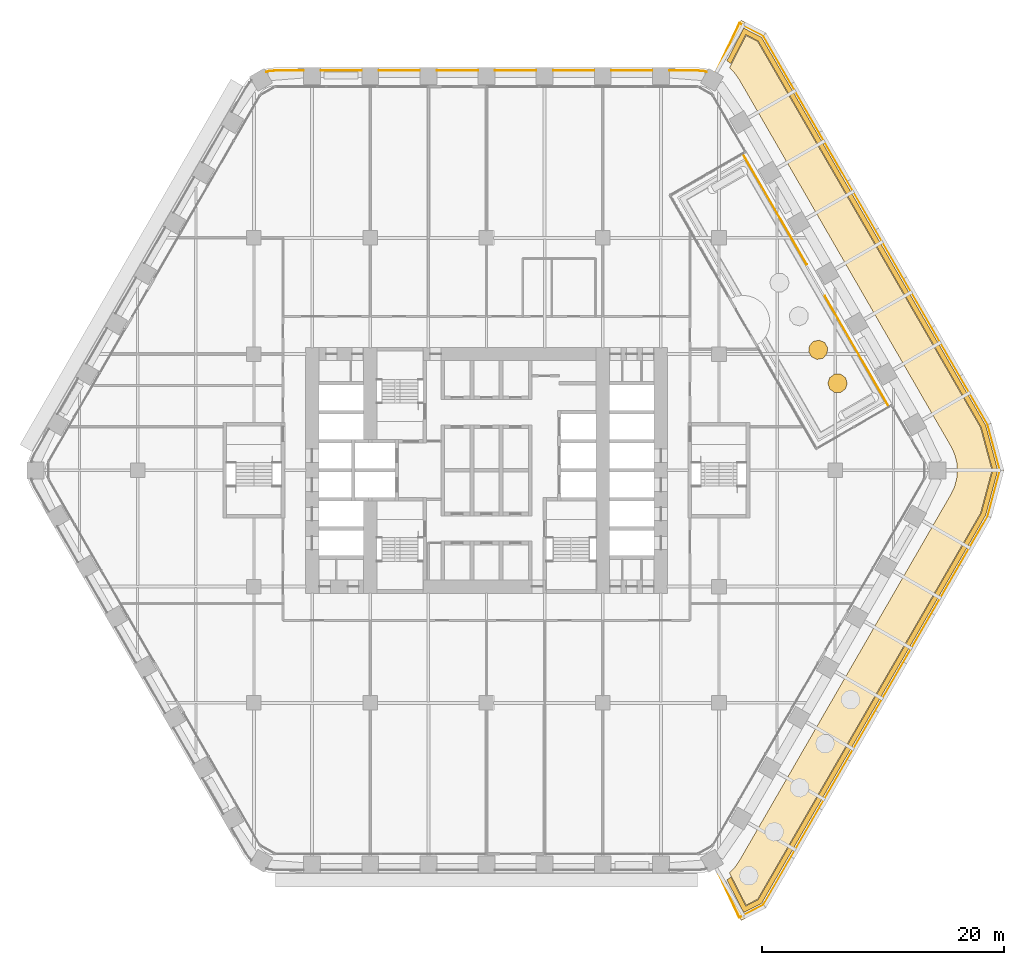
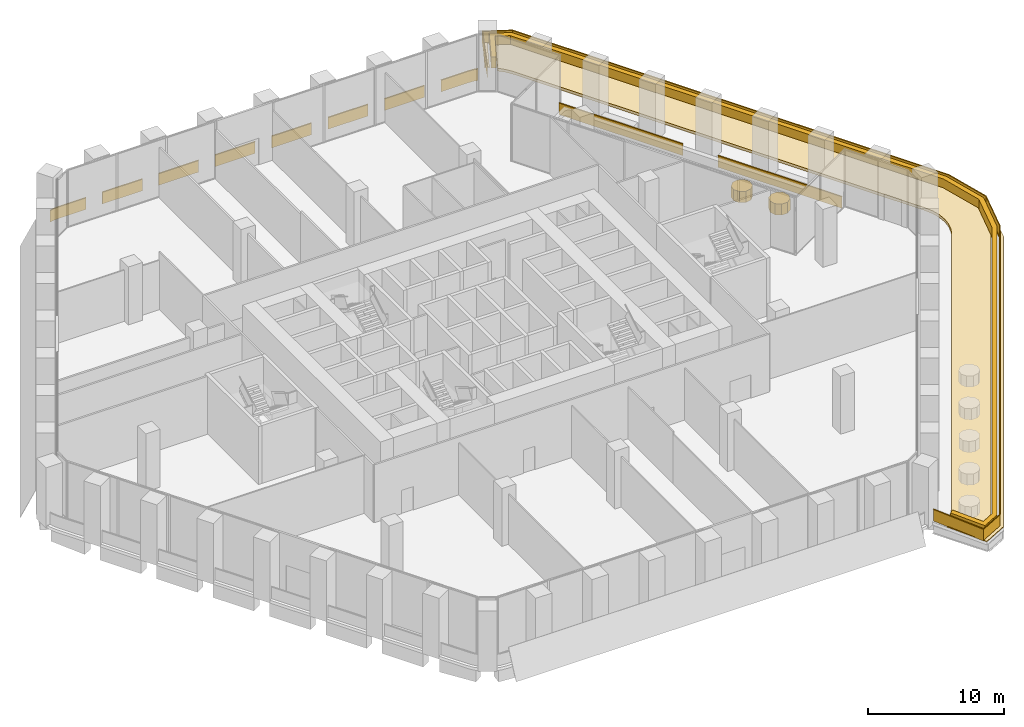
# One storey, part 32 of 32: 5 coverings, 3 railings.
"""IFC4 building model written with IfcOpenShell, lengths in metres."""

import ifcopenshell
import ifcopenshell.guid

model = None  # the IFC model being written
_history = None  # IfcOwnerHistory: only IFC2X3 demands one
_inside = {}  # id of a spatial element -> (the spatial element, [elements in it])
_under = {}  # id of a project, library or spatial element -> (it, [spatial elements below it])
_declared = {}  # id of a project -> (the project, [libraries it declares])
_typed = {}  # id of a type object -> (the type object, [elements of that type])
_made_of = {}  # id of a material, layer set ... -> (it, [elements and type objects made of it])


def new_model(schema):
    """Start an empty IFC model of exactly this schema.

    Asked for "IFC4X3", IfcOpenShell would pick the latest addendum, in which some entities
    have other attributes; the version numbers below select the first issue.
    IFC2X3 requires an IfcOwnerHistory on every rooted entity: one is made here for all.
    """
    global model, _history
    if schema == "IFC4X3":
        model = ifcopenshell.file(schema_version=(4, 3, 0, 0))
    else:
        model = ifcopenshell.file(schema=schema)
    _inside.clear()
    _under.clear()
    _declared.clear()
    _typed.clear()
    _made_of.clear()
    _history = None
    if model.schema == "IFC2X3":
        org = make("IfcOrganization", Name="unknown")
        user = make(
            "IfcPersonAndOrganization",
            ThePerson=make("IfcPerson", FamilyName="unknown"),
            TheOrganization=org,
        )
        app = make(
            "IfcApplication",
            ApplicationDeveloper=org,
            Version="unknown",
            ApplicationFullName="unknown",
            ApplicationIdentifier="unknown",
        )
        _history = make(
            "IfcOwnerHistory",
            OwningUser=user,
            OwningApplication=app,
            ChangeAction="ADDED",
            CreationDate=0,
        )
    return model


def make(cls, **values):
    """One entity of the class cls with the attributes given. An attribute that is None is left unset."""
    return model.create_entity(
        cls, **{name: value for name, value in values.items() if value is not None}
    )


def rooted(cls, **values):
    """An entity with a GlobalId (a new one), such as an element, a storey or a relation."""
    return make(cls, GlobalId=ifcopenshell.guid.new(), OwnerHistory=_history, **values)


def si_unit(unit_type, name, prefix=None):
    """IfcSIUnit, for example si_unit("LENGTHUNIT", "METRE", prefix="MILLI")."""
    return make("IfcSIUnit", UnitType=unit_type, Prefix=prefix, Name=name)


def assignment(units):
    """IfcUnitAssignment: the units of a project."""
    return None if units is None else make("IfcUnitAssignment", Units=units)


def point(xyz):
    """IfcCartesianPoint."""
    return None if xyz is None else make("IfcCartesianPoint", Coordinates=xyz)


def direction(xyz):
    """IfcDirection."""
    return None if xyz is None else make("IfcDirection", DirectionRatios=xyz)


def frame(location, z_axis=None, x_axis=None):
    """IfcAxis2Placement3D, a coordinate frame: its origin and axes. An axis left out is left unset."""
    return make(
        "IfcAxis2Placement3D",
        Location=point(location),
        Axis=direction(z_axis),
        RefDirection=direction(x_axis),
    )


def frame_2d(location, x_axis=None):
    """IfcAxis2Placement2D, a coordinate frame in the plane: its origin and x axis."""
    return make(
        "IfcAxis2Placement2D", Location=point(location), RefDirection=direction(x_axis)
    )


def origin():
    """The frame at (0, 0, 0) with its axes left unset."""
    return frame((0.0, 0.0, 0.0))


def origin_2d():
    """The frame at (0, 0) in the plane with its x axis left unset."""
    return frame_2d((0.0, 0.0))


def place(relative_to, where):
    """IfcLocalPlacement: puts the frame where relative to a parent placement (None: the world)."""
    return make(
        "IfcLocalPlacement", PlacementRelTo=relative_to, RelativePlacement=where
    )


def context(
    kind, dimensions, precision=None, world=None, true_north=None, identifier=None
):
    """IfcGeometricRepresentationContext, for example the 3D "Model" context."""
    return make(
        "IfcGeometricRepresentationContext",
        ContextIdentifier=identifier,
        ContextType=kind,
        CoordinateSpaceDimension=dimensions,
        Precision=precision,
        WorldCoordinateSystem=world,
        TrueNorth=true_north,
    )


def subcontext(parent, identifier, kind, view, scale=None):
    """IfcGeometricRepresentationSubContext, for example "Body" below "Model"."""
    return make(
        "IfcGeometricRepresentationSubContext",
        ContextIdentifier=identifier,
        ContextType=kind,
        ParentContext=parent,
        TargetScale=scale,
        TargetView=view,
    )


def project(units=None, contexts=None):
    """IfcProject with its units and contexts."""
    return rooted(
        "IfcProject",
        Name="project",
        RepresentationContexts=contexts,
        UnitsInContext=assignment(units),
    )


def spatial(cls, under=None, at=None, **own):
    """A site, building, storey or space (cls), placed at a placement, below another one or the project."""
    s = rooted(cls, ObjectPlacement=at, **own)
    if under is not None:
        _under.setdefault(under.id(), (under, []))[1].append(s)
    return s


def polyline(points):
    """IfcPolyline through the points."""
    return make("IfcPolyline", Points=[point(p) for p in points])


def profile(cls, at=None, kind="AREA", **sizes):
    """A parametric profile (cls). Its sizes go by their IFC names, for example OverallWidth=200.0."""
    return make(cls, ProfileType=kind, Position=at, **sizes)


def rectangle(**sizes):
    """IfcRectangleProfileDef."""
    return profile("IfcRectangleProfileDef", **sizes)


def outline(outer, holes=None, kind="AREA"):
    """IfcArbitraryClosedProfileDef: a profile drawn as a closed curve; with holes, ...WithVoids."""
    if holes is None:
        return make("IfcArbitraryClosedProfileDef", ProfileType=kind, OuterCurve=outer)
    return make(
        "IfcArbitraryProfileDefWithVoids",
        ProfileType=kind,
        OuterCurve=outer,
        InnerCurves=holes,
    )


def extrude(swept, where, along, depth):
    """IfcExtrudedAreaSolid: the profile swept, set in the frame where, extruded along a direction by depth."""
    return make(
        "IfcExtrudedAreaSolid",
        SweptArea=swept,
        Position=where,
        ExtrudedDirection=direction(along),
        Depth=depth,
    )


def shape(context_of_items, identifier, shape_type, items):
    """IfcShapeRepresentation: the items that make up one representation, for example the "Body"."""
    return make(
        "IfcShapeRepresentation",
        ContextOfItems=context_of_items,
        RepresentationIdentifier=identifier,
        RepresentationType=shape_type,
        Items=items,
    )


def material(Name=None, Category=None):
    """IfcMaterial."""
    return make("IfcMaterial", Name=Name, Category=Category)


def layer(
    of_material, thickness, ventilated=None, Name=None, Category=None, Priority=None
):
    """IfcMaterialLayer: one layer of a wall or slab, of a material (None: an air gap)."""
    return make(
        "IfcMaterialLayer",
        Material=of_material,
        LayerThickness=thickness,
        IsVentilated=ventilated,
        Name=Name,
        Category=Category,
        Priority=Priority,
    )


def layer_set(layers, Name=None):
    """IfcMaterialLayerSet."""
    return make("IfcMaterialLayerSet", MaterialLayers=layers, LayerSetName=Name)


def made_of(thing, what):
    """Note that an element or type object is made of a material, layer set ...; save() writes the relation."""
    if what is not None:
        _made_of.setdefault(what.id(), (what, []))[1].append(thing)
    return thing


def type_object(cls, material=None, **own):
    """A type object (cls), such as IfcWallType, which elements share."""
    return made_of(rooted(cls, **own), material)


def element(
    cls,
    number,
    at=None,
    inside=None,
    cuts=None,
    type_object=None,
    material=None,
    context=None,
    identifier="Body",
    shape_type=None,
    held_by="IfcProductDefinitionShape",
    body=None,
    shapes=None,
    **own,
):
    """One element of the class cls, such as IfcWall. Its Tag is "e" and its number.

    at: its placement. inside: the storey or other place that contains it. cuts: it is an
    opening in that element (IfcRelVoidsElement). A single representation is given by context,
    identifier, shape_type and body (its items); several are given by shapes. held_by: the class
    of the entity that holds the representations. save() writes the other relations.
    """
    e = rooted(cls, Tag="e%d" % number, ObjectPlacement=at, **own)
    if body is not None:
        shapes = [shape(context, identifier, shape_type, body)]
    if shapes is not None:
        e.Representation = make(held_by, Representations=shapes)
    if inside is not None:
        _inside.setdefault(inside.id(), (inside, []))[1].append(e)
    if cuts is not None:
        rooted(
            "IfcRelVoidsElement", RelatingBuildingElement=cuts, RelatedOpeningElement=e
        )
    if type_object is not None:
        _typed.setdefault(type_object.id(), (type_object, []))[1].append(e)
    return made_of(e, material)


def aggregate(whole, parts):
    """IfcRelAggregates: a whole, such as a stair, and the parts it consists of."""
    return rooted("IfcRelAggregates", RelatingObject=whole, RelatedObjects=parts)


def save(model, path):
    """Write the relations noted so far, then the file.

    IfcRelAggregates (storeys below a building ...), IfcRelContainedInSpatialStructure (elements
    in a storey), IfcRelDefinesByType, IfcRelAssociatesMaterial and IfcRelDeclares: one each for
    every whole, place, type object, material and project.
    """
    for whole, parts in _under.values():
        aggregate(whole, parts)
    for where, things in _inside.values():
        rooted(
            "IfcRelContainedInSpatialStructure",
            RelatedElements=things,
            RelatingStructure=where,
        )
    for kind, things in _typed.values():
        rooted("IfcRelDefinesByType", RelatedObjects=things, RelatingType=kind)
    for what, things in _made_of.values():
        rooted("IfcRelAssociatesMaterial", RelatedObjects=things, RelatingMaterial=what)
    for by, libraries in _declared.values():
        rooted("IfcRelDeclares", RelatingContext=by, RelatedDefinitions=libraries)
    model.write(path)


model = new_model("IFC4")

# Units and contexts
model_context = context("Model", 3, precision=1e-05, world=origin(), true_north=direction((0.0, 1.0)))
body_context = subcontext(model_context, "Body", "Model", "MODEL_VIEW")
ifc_project = project(units=[si_unit("LENGTHUNIT", "METRE"), si_unit("AREAUNIT", "SQUARE_METRE"), si_unit("VOLUMEUNIT", "CUBIC_METRE"), si_unit("PLANEANGLEUNIT", "RADIAN"), si_unit("MASSUNIT", "GRAM", prefix="KILO")], contexts=[model_context])

# Site, building, storey
site_placement = place(None, origin())
site = spatial("IfcSite", under=ifc_project, at=site_placement, CompositionType="ELEMENT")
building_placement = place(site_placement, origin())
building = spatial("IfcBuilding", under=site, at=building_placement, Name="Kolab Exchange Tower", CompositionType="ELEMENT")
storey_placement = place(building_placement, frame((0.0, 0.0, 60.89990234375)))
storey = spatial("IfcBuildingStorey", under=building, at=storey_placement, Name="L11", CompositionType="ELEMENT", Elevation=60.89990234375)

# Coverings
ifc_material_1 = material(Name="Flowering shrub planting", Category="soil")
ifc_layer_1 = layer(ifc_material_1, 1.0)
ifc_layer_set_1 = layer_set([ifc_layer_1], Name="Flowering shrub planting")
covering_type_1 = type_object("IfcCoveringType", Name="FLOWERING SHRUB PLANTING", PredefinedType="USERDEFINED", material=ifc_layer_set_1)
covering_1_placement = place(storey_placement, frame((0.0, 0.0, 0.25)))
element("IfcCovering", 1, at=covering_1_placement, inside=storey, type_object=covering_type_1, Name="Flowering shrub", ObjectType="PLANTING", PredefinedType="USERDEFINED", context=body_context, shape_type="SweptSolid", body=[
    extrude(outline(polyline([(29.792724609375, 7.183837890625), (29.639892578125, 7.654052734375), (29.239990234375, 7.944580078125), (28.74560546875, 7.944580078125), (28.345458984375, 7.654052734375), (28.192626953125, 7.183837890625), (28.345458984375, 6.713623046875), (28.74560546875, 6.4228515625), (29.239990234375, 6.4228515625), (29.639892578125, 6.713623046875), (29.792724609375, 7.183837890625)])), origin(), (0.0, 0.0, 1.0), 1.0),
])
covering_2_placement = place(storey_placement, frame((0.0, 0.0, 0.25)))
element("IfcCovering", 2, at=covering_2_placement, inside=storey, type_object=covering_type_1, Name="Flowering shrub", ObjectType="PLANTING", PredefinedType="USERDEFINED", context=body_context, shape_type="SweptSolid", body=[
    extrude(outline(polyline([(28.1767578125, 10.11376953125), (27.93359375, 10.54443359375), (27.48388671875, 10.749755859375), (26.999267578125, 10.651611328125), (26.6650390625, 10.287109375), (26.608642578125, 9.7958984375), (26.851806640625, 9.365478515625), (27.301513671875, 9.16015625), (27.7861328125, 9.25830078125), (28.120361328125, 9.62255859375), (28.1767578125, 10.11376953125)])), origin(), (0.0, 0.0, 1.0), 1.0),
])

# Railings
ifc_material_2 = material(Name="Steel S235", Category="steel")
railing_type = type_object("IfcRailingType", Name="GUARD 1100 GLASS BALUSTRADE AND STEEL TOP RAIL", PredefinedType="GUARDRAIL", material=ifc_material_2)
railing_1_placement = place(storey_placement, frame((18.1953125, 32.896728515625, 0.0)))
element("IfcRailing", 3, at=railing_1_placement, inside=storey, type_object=railing_type, Name="Guard", PredefinedType="GUARDRAIL", context=body_context, shape_type="SweptSolid", body=[
    extrude(rectangle(XDim=0.05, YDim=0.05, at=origin_2d()), frame((0.0, 0.0, 1.0751953125), z_axis=(-0.965952265455, 0.258720352624, 0.0), x_axis=(-0.258720352624, -0.965952265455, 0.0)), (0.0, 0.0, 1.0), 0.258544921875),
    extrude(rectangle(XDim=0.012, YDim=1.05009765625, at=frame_2d((0.0, 0.525146484375))), frame((0.0, 0.0, 0.0), z_axis=(-0.965952265455, 0.258720352624, 0.0), x_axis=(-0.258720352624, -0.965952265455, 0.0)), (0.0, 0.0, 1.0), 0.258544921875),
    extrude(rectangle(XDim=0.05, YDim=0.05, at=origin_2d()), frame((-0.249755859375, 0.06689453125, 1.0751953125), z_axis=(-0.996200348447, 0.087091134757, 0.0), x_axis=(-0.087091134757, -0.996200348447, 0.0)), (0.0, 0.0, 1.0), 0.479248046875),
    extrude(rectangle(XDim=0.012, YDim=1.05009765625, at=frame_2d((0.0, 0.525146484375))), frame((-0.249755859375, 0.06689453125, 0.0), z_axis=(-0.996200348447, 0.087091134757, 0.0), x_axis=(-0.087091134757, -0.996200348447, 0.0)), (0.0, 0.0, 1.0), 0.479248046875),
    extrude(rectangle(XDim=0.05, YDim=0.05, at=origin_2d()), frame((-0.727294921875, 0.108642578125, 1.0751953125), z_axis=(-1.0, 0.0, 0.0), x_axis=(0.0, -1.0, 0.0)), (0.0, 0.0, 1.0), 2.367919921875),
    extrude(rectangle(XDim=0.012, YDim=1.05009765625, at=frame_2d((0.0, 0.525146484375))), frame((-0.727294921875, 0.108642578125, 0.0), z_axis=(-1.0, 0.0, 0.0), x_axis=(0.0, -1.0, 0.0)), (0.0, 0.0, 1.0), 2.367919921875),
    extrude(rectangle(XDim=0.05, YDim=0.05, at=origin_2d()), frame((-4.495361328125, 0.108642578125, 1.0751953125), z_axis=(-1.0, 0.0, 0.0), x_axis=(0.0, -1.0, 0.0)), (0.0, 0.0, 1.0), 3.39990234375),
    extrude(rectangle(XDim=0.012, YDim=1.05009765625, at=frame_2d((0.0, 0.525146484375))), frame((-4.495361328125, 0.108642578125, 0.0), z_axis=(-1.0, 0.0, 0.0), x_axis=(0.0, -1.0, 0.0)), (0.0, 0.0, 1.0), 3.39990234375),
    extrude(rectangle(XDim=0.05, YDim=0.05, at=origin_2d()), frame((-9.29541015625, 0.108642578125, 1.0751953125), z_axis=(-1.0, 0.0, 0.0), x_axis=(0.0, -1.0, 0.0)), (0.0, 0.0, 1.0), 3.39990234375),
    extrude(rectangle(XDim=0.012, YDim=1.05009765625, at=frame_2d((0.0, 0.525146484375))), frame((-9.29541015625, 0.108642578125, 0.0), z_axis=(-1.0, 0.0, 0.0), x_axis=(0.0, -1.0, 0.0)), (0.0, 0.0, 1.0), 3.39990234375),
    extrude(rectangle(XDim=0.05, YDim=0.05, at=origin_2d()), frame((-14.09521484375, 0.108642578125, 1.0751953125), z_axis=(-1.0, 0.0, 0.0), x_axis=(0.0, -1.0, 0.0)), (0.0, 0.0, 1.0), 3.400146484375),
    extrude(rectangle(XDim=0.012, YDim=1.05009765625, at=frame_2d((0.0, 0.525146484375))), frame((-14.09521484375, 0.108642578125, 0.0), z_axis=(-1.0, 0.0, 0.0), x_axis=(0.0, -1.0, 0.0)), (0.0, 0.0, 1.0), 3.400146484375),
    extrude(rectangle(XDim=0.05, YDim=0.05, at=origin_2d()), frame((-18.895263671875, 0.108642578125, 1.0751953125), z_axis=(-1.0, 0.0, 0.0), x_axis=(0.0, -1.0, 0.0)), (0.0, 0.0, 1.0), 3.400146484375),
    extrude(rectangle(XDim=0.012, YDim=1.05009765625, at=frame_2d((0.0, 0.525146484375))), frame((-18.895263671875, 0.108642578125, 0.0), z_axis=(-1.0, 0.0, 0.0), x_axis=(0.0, -1.0, 0.0)), (0.0, 0.0, 1.0), 3.400146484375),
    extrude(rectangle(XDim=0.05, YDim=0.05, at=origin_2d()), frame((-23.6953125, 0.108642578125, 1.0751953125), z_axis=(-1.0, 0.0, 0.0), x_axis=(0.0, -1.0, 0.0)), (0.0, 0.0, 1.0), 3.39990234375),
    extrude(rectangle(XDim=0.012, YDim=1.05009765625, at=frame_2d((0.0, 0.525146484375))), frame((-23.6953125, 0.108642578125, 0.0), z_axis=(-1.0, 0.0, 0.0), x_axis=(0.0, -1.0, 0.0)), (0.0, 0.0, 1.0), 3.39990234375),
    extrude(rectangle(XDim=0.05, YDim=0.05, at=origin_2d()), frame((-28.495361328125, 0.108642578125, 1.0751953125), z_axis=(-1.0, 0.0, 0.0), x_axis=(0.0, -1.0, 0.0)), (0.0, 0.0, 1.0), 3.39990234375),
    extrude(rectangle(XDim=0.012, YDim=1.05009765625, at=frame_2d((0.0, 0.525146484375))), frame((-28.495361328125, 0.108642578125, 0.0), z_axis=(-1.0, 0.0, 0.0), x_axis=(0.0, -1.0, 0.0)), (0.0, 0.0, 1.0), 3.39990234375),
    extrude(rectangle(XDim=0.05, YDim=0.05, at=origin_2d()), frame((-33.29541015625, 0.108642578125, 1.0751953125), z_axis=(-1.0, 0.0, 0.0), x_axis=(0.0, -1.0, 0.0)), (0.0, 0.0, 1.0), 2.367919921875),
    extrude(rectangle(XDim=0.012, YDim=1.05009765625, at=frame_2d((0.0, 0.525146484375))), frame((-33.29541015625, 0.108642578125, 0.0), z_axis=(-1.0, 0.0, 0.0), x_axis=(0.0, -1.0, 0.0)), (0.0, 0.0, 1.0), 2.367919921875),
    extrude(rectangle(XDim=0.05, YDim=0.05, at=origin_2d()), frame((-35.663330078125, 0.108642578125, 1.0751953125), z_axis=(-0.996200348447, -0.087091134757, 0.0), x_axis=(0.087091134757, -0.996200348447, 0.0)), (0.0, 0.0, 1.0), 0.479248046875),
    extrude(rectangle(XDim=0.012, YDim=1.05009765625, at=frame_2d((0.0, 0.525146484375))), frame((-35.663330078125, 0.108642578125, 0.0), z_axis=(-0.996200348447, -0.087091134757, 0.0), x_axis=(0.087091134757, -0.996200348447, 0.0)), (0.0, 0.0, 1.0), 0.479248046875),
    extrude(rectangle(XDim=0.05, YDim=0.05, at=origin_2d()), frame((-36.140869140625, 0.06689453125, 1.0751953125), z_axis=(-0.965952265455, -0.258720352624, 0.0), x_axis=(0.258720352624, -0.965952265455, 0.0)), (0.0, 0.0, 1.0), 0.258544921875),
    extrude(rectangle(XDim=0.012, YDim=1.05009765625, at=frame_2d((0.0, 0.525146484375))), frame((-36.140869140625, 0.06689453125, 0.0), z_axis=(-0.965952265455, -0.258720352624, 0.0), x_axis=(0.258720352624, -0.965952265455, 0.0)), (0.0, 0.0, 1.0), 0.258544921875),
])
railing_2_placement = place(storey_placement, frame((18.968017578125, 32.853515625, 0.0)))
element("IfcRailing", 4, at=railing_2_placement, inside=storey, type_object=railing_type, Name="Terrace guard", PredefinedType="GUARDRAIL", context=body_context, shape_type="SweptSolid", body=[
    extrude(rectangle(XDim=0.05, YDim=0.05, at=origin_2d()), frame((0.0, 0.0, 1.0751953125), z_axis=(0.42619965406, 0.904629125598, 0.0), x_axis=(-0.904629125598, 0.42619965406, 0.0)), (0.0, 0.0, 1.0), 4.496826171875),
    extrude(rectangle(XDim=0.012, YDim=1.05009765625, at=frame_2d((0.0, 0.525146484375))), frame((0.0, 0.0, 0.0), z_axis=(0.42619965406, 0.904629125598, 0.0), x_axis=(-0.904629125598, 0.42619965406, 0.0)), (0.0, 0.0, 1.0), 4.496826171875),
    extrude(rectangle(XDim=0.05, YDim=0.05, at=origin_2d()), frame((1.91650390625, 4.06787109375, 1.0751953125), z_axis=(0.889930468546, -0.456096219184, 0.0), x_axis=(0.456096219184, 0.889930468546, 0.0)), (0.0, 0.0, 1.0), 2.226318359375),
    extrude(rectangle(XDim=0.012, YDim=1.05009765625, at=frame_2d((0.0, 0.525146484375))), frame((1.91650390625, 4.06787109375, 0.0), z_axis=(0.889930468546, -0.456096219184, 0.0), x_axis=(0.456096219184, 0.889930468546, 0.0)), (0.0, 0.0, 1.0), 2.226318359375),
    extrude(rectangle(XDim=0.05, YDim=0.05, at=origin_2d()), frame((3.897705078125, 3.052490234375, 1.0751953125), z_axis=(0.50000221029, -0.866024127669, 0.0), x_axis=(0.866024127669, 0.50000221029, 0.0)), (0.0, 0.0, 1.0), 37.091064453125),
    extrude(rectangle(XDim=0.012, YDim=1.05009765625, at=frame_2d((0.0, 0.525146484375))), frame((3.897705078125, 3.052490234375, 0.0), z_axis=(0.50000221029, -0.866024127669, 0.0), x_axis=(0.866024127669, 0.50000221029, 0.0)), (0.0, 0.0, 1.0), 37.091064453125),
    extrude(rectangle(XDim=0.05, YDim=0.05, at=origin_2d()), frame((22.443359375, -29.0693359375, 1.0751953125), z_axis=(0.258806690596, -0.965929136584, 0.0), x_axis=(0.965929136584, 0.258806690596, 0.0)), (0.0, 0.0, 1.0), 3.917724609375),
    extrude(rectangle(XDim=0.012, YDim=1.05009765625, at=frame_2d((0.0, 0.525146484375))), frame((22.443359375, -29.0693359375, 0.0), z_axis=(0.258806690596, -0.965929136584, 0.0), x_axis=(0.965929136584, 0.258806690596, 0.0)), (0.0, 0.0, 1.0), 3.917724609375),
    extrude(rectangle(XDim=0.05, YDim=0.05, at=origin_2d()), frame((23.457275390625, -32.853515625, 1.0751953125), z_axis=(-0.258806690596, -0.965929136584, 0.0), x_axis=(0.965929136584, -0.258806690596, 0.0)), (0.0, 0.0, 1.0), 3.917724609375),
    extrude(rectangle(XDim=0.012, YDim=1.05009765625, at=frame_2d((0.0, 0.525146484375))), frame((23.457275390625, -32.853515625, 0.0), z_axis=(-0.258806690596, -0.965929136584, 0.0), x_axis=(0.965929136584, -0.258806690596, 0.0)), (0.0, 0.0, 1.0), 3.917724609375),
    extrude(rectangle(XDim=0.05, YDim=0.05, at=origin_2d()), frame((22.443359375, -36.6376953125, 1.0751953125), z_axis=(-0.50000221029, -0.866024127669, 0.0), x_axis=(0.866024127669, -0.50000221029, 0.0)), (0.0, 0.0, 1.0), 37.091064453125),
    extrude(rectangle(XDim=0.012, YDim=1.05009765625, at=frame_2d((0.0, 0.525146484375))), frame((22.443359375, -36.6376953125, 0.0), z_axis=(-0.50000221029, -0.866024127669, 0.0), x_axis=(0.866024127669, -0.50000221029, 0.0)), (0.0, 0.0, 1.0), 37.091064453125),
    extrude(rectangle(XDim=0.05, YDim=0.05, at=origin_2d()), frame((3.897705078125, -68.759521484375, 1.0751953125), z_axis=(-0.889930468546, -0.456096219184, 0.0), x_axis=(0.456096219184, -0.889930468546, 0.0)), (0.0, 0.0, 1.0), 2.226318359375),
    extrude(rectangle(XDim=0.012, YDim=1.05009765625, at=frame_2d((0.0, 0.525146484375))), frame((3.897705078125, -68.759521484375, 0.0), z_axis=(-0.889930468546, -0.456096219184, 0.0), x_axis=(0.456096219184, -0.889930468546, 0.0)), (0.0, 0.0, 1.0), 2.226318359375),
    extrude(rectangle(XDim=0.05, YDim=0.05, at=origin_2d()), frame((1.91650390625, -69.77490234375, 1.0751953125), z_axis=(-0.42619965406, 0.904629125598, 0.0), x_axis=(-0.904629125598, -0.42619965406, 0.0)), (0.0, 0.0, 1.0), 4.496826171875),
    extrude(rectangle(XDim=0.012, YDim=1.05009765625, at=frame_2d((0.0, 0.525146484375))), frame((1.91650390625, -69.77490234375, 0.0), z_axis=(-0.42619965406, 0.904629125598, 0.0), x_axis=(-0.904629125598, -0.42619965406, 0.0)), (0.0, 0.0, 1.0), 4.496826171875),
])
railing_3_placement = place(storey_placement, frame((21.177734375, 26.129638671875, 0.0)))
element("IfcRailing", 5, at=railing_3_placement, inside=storey, type_object=railing_type, Name="Terrace guard", PredefinedType="GUARDRAIL", context=body_context, shape_type="SweptSolid", body=[
    extrude(rectangle(XDim=0.05, YDim=0.05, at=origin_2d()), frame((0.0, 0.0, 1.0751953125), z_axis=(0.500000488781, -0.866025121586, 0.0), x_axis=(0.866025121586, 0.500000488781, 0.0)), (0.0, 0.0, 1.0), 10.5400390625),
    extrude(rectangle(XDim=0.012, YDim=1.05009765625, at=frame_2d((0.0, 0.525146484375))), frame((0.0, 0.0, 0.0), z_axis=(0.500000488781, -0.866025121586, 0.0), x_axis=(0.866025121586, 0.500000488781, 0.0)), (0.0, 0.0, 1.0), 10.5400390625),
    extrude(rectangle(XDim=0.05, YDim=0.05, at=origin_2d()), frame((12.0400390625, -20.85400390625, 1.0751953125), z_axis=(-0.500000488781, 0.866025121586, 0.0), x_axis=(-0.866025121586, -0.500000488781, 0.0)), (0.0, 0.0, 1.0), 10.5400390625),
    extrude(rectangle(XDim=0.012, YDim=1.05009765625, at=frame_2d((0.0, 0.525146484375))), frame((12.0400390625, -20.85400390625, 0.0), z_axis=(-0.500000488781, 0.866025121586, 0.0), x_axis=(-0.866025121586, -0.500000488781, 0.0)), (0.0, 0.0, 1.0), 10.5400390625),
])

# Coverings
ifc_material_3 = material(Name="Planting soil and turf", Category="soil")
ifc_layer_2 = layer(ifc_material_3, 0.25)
ifc_layer_set_2 = layer_set([ifc_layer_2], Name="Planting soil and turf")
covering_type_2 = type_object("IfcCoveringType", Name="PLANTING SOIL AND TURF 250", PredefinedType="USERDEFINED", material=ifc_layer_set_2)
covering_3_placement = place(storey_placement, origin())
element("IfcCovering", 6, at=covering_3_placement, inside=storey, type_object=covering_type_2, Name="Planting soil and turf", ObjectType="PLANTING", PredefinedType="USERDEFINED", context=body_context, shape_type="SweptSolid", body=[
    extrude(outline(polyline([(21.433349609375, 35.90966796875), (22.398681640625, 35.4150390625), (40.8056640625, 3.533203125), (41.75244140625, 0.0), (40.8056640625, -3.533203125), (22.398681640625, -35.4150390625), (21.433349609375, -35.90966796875), (20.06103515625, -33.232177734375), (20.49658203125, -32.796630859375), (20.867919921875, -32.266357421875), (38.37744140625, -1.939208984375), (38.651123046875, -1.352294921875), (38.829345703125, -0.6865234375), (38.8896484375, 0.0), (38.829345703125, 0.6865234375), (38.651123046875, 1.352294921875), (38.37744140625, 1.939208984375), (20.867919921875, 32.266357421875), (20.49658203125, 32.796630859375), (20.06103515625, 33.232177734375), (21.433349609375, 35.90966796875)])), origin(), (0.0, 0.0, 1.0), 0.25),
])
ifc_material_4 = material(Name="Limestone coping", Category="masonry")
ifc_layer_3 = layer(ifc_material_4, 0.050048828125)
ifc_layer_set_3 = layer_set([ifc_layer_3], Name="Limestone coping")
covering_type_3 = type_object("IfcCoveringType", Name="TERRACE EDGE BAND LIMESTONE 50", PredefinedType="CLADDING", material=ifc_layer_set_3)
covering_4_placement = place(storey_placement, origin())
element("IfcCovering", 7, at=covering_4_placement, inside=storey, type_object=covering_type_3, Name="Terrace edge band", PredefinedType="CLADDING", context=body_context, shape_type="SweptSolid", body=[
    extrude(outline(polyline([(23.06689453125, 36.11767578125), (41.67236328125, 3.892333984375), (42.715087890625, 0.0), (41.67236328125, -3.892333984375), (23.06689453125, -36.11767578125), (21.030029296875, -37.16162109375), (19.443603515625, -34.066162109375), (19.517333984375, -34.03173828125), (19.617919921875, -33.979248046875), (19.713623046875, -33.91845703125), (19.74853515625, -33.893798828125), (21.181884765625, -36.6904296875), (22.8154296875, -35.853271484375), (41.34619140625, -3.757080078125), (42.352783203125, 0.0), (41.34619140625, 3.757080078125), (22.8154296875, 35.853271484375), (21.181884765625, 36.6904296875), (19.74853515625, 33.893798828125), (19.713623046875, 33.91845703125), (19.617919921875, 33.979248046875), (19.517333984375, 34.03173828125), (19.443603515625, 34.066162109375), (21.030029296875, 37.16162109375), (23.06689453125, 36.11767578125)])), origin(), (0.0, 0.0, 1.0), 0.050048828125),
])
ifc_material_5 = material(Name="Terrace hedge planting", Category="soil")
ifc_layer_4 = layer(ifc_material_5, 1.0)
ifc_layer_set_4 = layer_set([ifc_layer_4], Name="Terrace hedge planting")
covering_type_4 = type_object("IfcCoveringType", Name="TERRACE HEDGE 1000 X 400", PredefinedType="USERDEFINED", material=ifc_layer_set_4)
covering_5_placement = place(storey_placement, origin())
element("IfcCovering", 8, at=covering_5_placement, inside=storey, type_object=covering_type_4, Name="Terrace hedge", ObjectType="PLANTING", PredefinedType="USERDEFINED", context=body_context, shape_type="SweptSolid", body=[
    extrude(outline(polyline([(22.721923828125, 35.7548828125), (41.224853515625, 3.70703125), (42.21826171875, 0.0), (41.224853515625, -3.70703125), (22.721923828125, -35.7548828125), (21.23828125, -36.515380859375), (19.85595703125, -33.818603515625), (20.141845703125, -33.618408203125), (20.185791015625, -33.5849609375), (21.41162109375, -35.97705078125), (22.4345703125, -35.452880859375), (40.852294921875, -3.552734375), (41.80419921875, 0.0), (40.852294921875, 3.552734375), (22.4345703125, 35.452880859375), (21.41162109375, 35.97705078125), (20.185791015625, 33.5849609375), (20.141845703125, 33.618408203125), (19.85595703125, 33.818603515625), (21.23828125, 36.515380859375), (22.721923828125, 35.7548828125)])), origin(), (0.0, 0.0, 1.0), 1.0),
])

save(model, "model.ifc")
